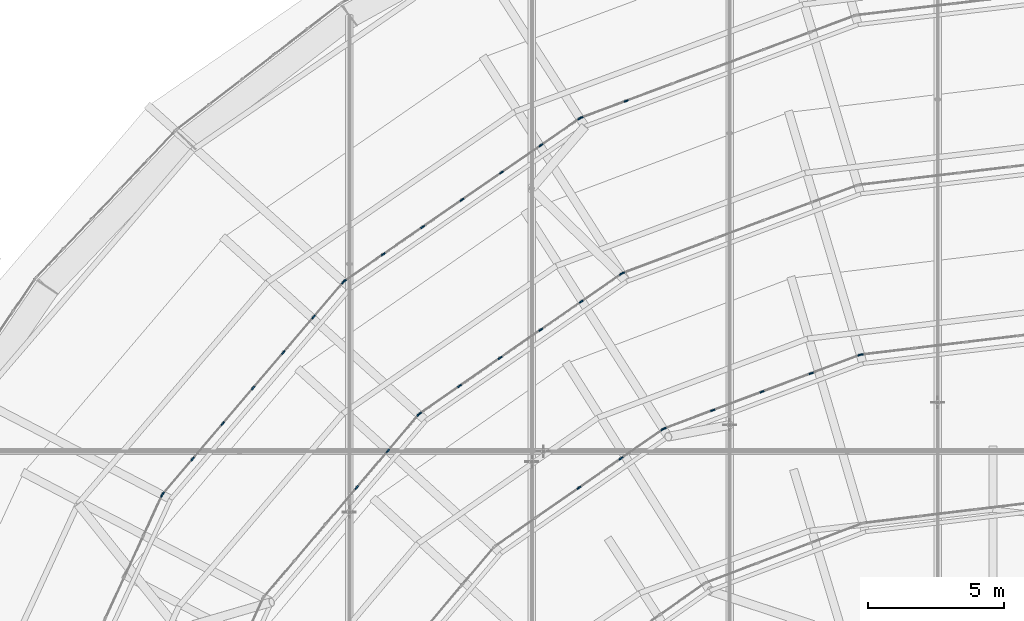
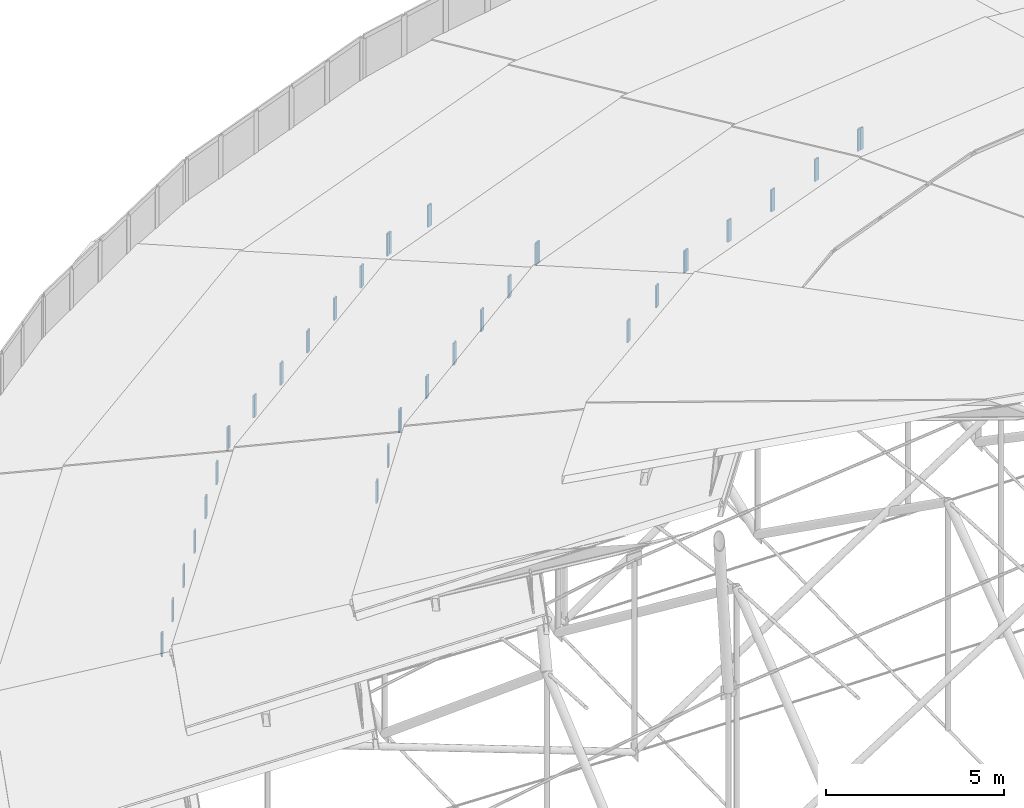
# One storey, part 136 of 173: 36 members, 10 elements without a shape of their own.
"""IFC4 building model written with IfcOpenShell, lengths in metres."""

from ifc_helpers import new_model, si_unit, direction, frame, origin, origin_2d, place, context, subcontext, project, spatial, rectangle, extrude, material, material_profile, profile_set, type_object, element, aggregate, save


model = new_model("IFC4")

# Units and contexts
model_context = context("Model", 3, precision=1e-05, world=origin(), true_north=direction((0.0, 1.0)))
body_context = subcontext(model_context, "Body", "Model", "MODEL_VIEW")
ifc_project = project(units=[si_unit("LENGTHUNIT", "METRE"), si_unit("AREAUNIT", "SQUARE_METRE"), si_unit("VOLUMEUNIT", "CUBIC_METRE"), si_unit("PLANEANGLEUNIT", "RADIAN"), si_unit("MASSUNIT", "GRAM", prefix="KILO")], contexts=[model_context])

# Site, building, storey
site_placement = place(None, origin())
site = spatial("IfcSite", under=ifc_project, at=site_placement, CompositionType="ELEMENT")
building_placement = place(site_placement, origin())
building = spatial("IfcBuilding", under=site, at=building_placement, Name="Glasvene Arena", CompositionType="ELEMENT")
storey_placement = place(building_placement, frame((0.0, 0.0, 28.800048828125)))
storey = spatial("IfcBuildingStorey", under=building, at=storey_placement, Name="RF", CompositionType="ELEMENT", Elevation=28.800048828125)

# Curtain wall, members
ifc_material_1 = material(Name="Low-emissivity laminated double glazing", Category="glass")
curtain_wall_type_1 = type_object("IfcCurtainWallType", Name="CW-PET1-1077x75", PredefinedType="USERDEFINED", material=ifc_material_1)
curtain_wall_1_placement = place(storey_placement, frame((81.16845703125, 109.415283203125, 0.0)))
curtain_wall_1 = element("IfcCurtainWall", 1, at=curtain_wall_1_placement, inside=storey, type_object=curtain_wall_type_1, Name="Petal ring 1-2 clerestory curtain wall 08", ObjectType="CURTAIN WALL", PredefinedType="USERDEFINED")
ifc_material_2 = material(Name="Anodised architectural aluminium", Category="aluminium")
ifc_material_profile = material_profile(ifc_material_2, rectangle(XDim=0.050048828125, YDim=0.159912109375, at=origin_2d()), Name="ALU MULLION 50x160")
ifc_profile_set = profile_set([ifc_material_profile], Name="Anodised architectural aluminium")
member_type = type_object("IfcMemberType", Name="CW-MUL-150", PredefinedType="MULLION", material=ifc_profile_set)
member_1_placement = place(storey_placement, frame((72.75732421875, 106.27685546875, 2.579833984375), z_axis=(0.0, 0.0, 1.0), x_axis=(0.349591006176, -0.936902411354, 0.0)))
member_1 = element("IfcMember", 2, at=member_1_placement, type_object=member_type, Name="CW-085 mullion 6", PredefinedType="MULLION", context=body_context, shape_type="SweptSolid", body=[
    extrude(rectangle(XDim=0.050048828125, YDim=0.159912109375, at=origin_2d()), origin(), (0.0, 0.0, 1.0), 0.75),
])
member_2_placement = place(storey_placement, frame((71.098388671875, 105.657958984375, 2.579833984375), z_axis=(0.0, 0.0, 1.0), x_axis=(0.349591006176, -0.936902411354, 0.0)))
member_2 = element("IfcMember", 3, at=member_2_placement, type_object=member_type, Name="CW-085 mullion 7", PredefinedType="MULLION", context=body_context, shape_type="SweptSolid", body=[
    extrude(rectangle(XDim=0.050048828125, YDim=0.159912109375, at=origin_2d()), origin(), (0.0, 0.0, 1.0), 0.75),
])
aggregate(curtain_wall_1, [member_1, member_2])

curtain_wall_type_2 = type_object("IfcCurtainWallType", Name="CW-PET1-1054x75", PredefinedType="USERDEFINED", material=ifc_material_1)
curtain_wall_2_placement = place(storey_placement, frame((71.074951171875, 105.649169921875, 0.0)))
curtain_wall_2 = element("IfcCurtainWall", 4, at=curtain_wall_2_placement, inside=storey, type_object=curtain_wall_type_2, Name="Petal ring 1-2 clerestory curtain wall 09", ObjectType="CURTAIN WALL", PredefinedType="USERDEFINED")
member_3_placement = place(storey_placement, frame((71.054443359375, 105.635009765625, 2.579833984375), z_axis=(0.0, 0.0, 1.0), x_axis=(0.568619089886, -0.822600954666, 0.0)))
member_3 = element("IfcMember", 5, at=member_3_placement, type_object=member_type, Name="CW-084 mullion 1", PredefinedType="MULLION", context=body_context, shape_type="SweptSolid", body=[
    extrude(rectangle(XDim=0.050048828125, YDim=0.159912109375, at=origin_2d()), origin(), (0.0, 0.0, 1.0), 0.75),
])
member_4_placement = place(storey_placement, frame((69.63037109375, 104.650634765625, 2.579833984375), z_axis=(0.0, 0.0, 1.0), x_axis=(0.568619089886, -0.822600954666, 0.0)))
member_4 = element("IfcMember", 6, at=member_4_placement, type_object=member_type, Name="CW-084 mullion 2", PredefinedType="MULLION", context=body_context, shape_type="SweptSolid", body=[
    extrude(rectangle(XDim=0.050048828125, YDim=0.159912109375, at=origin_2d()), origin(), (0.0, 0.0, 1.0), 0.75),
])
member_5_placement = place(storey_placement, frame((68.185791015625, 103.652099609375, 2.579833984375), z_axis=(0.0, 0.0, 1.0), x_axis=(0.568619089886, -0.822600954666, 0.0)))
member_5 = element("IfcMember", 7, at=member_5_placement, type_object=member_type, Name="CW-084 mullion 3", PredefinedType="MULLION", context=body_context, shape_type="SweptSolid", body=[
    extrude(rectangle(XDim=0.050048828125, YDim=0.159912109375, at=origin_2d()), origin(), (0.0, 0.0, 1.0), 0.75),
])
member_6_placement = place(storey_placement, frame((66.7412109375, 102.653564453125, 2.579833984375), z_axis=(0.0, 0.0, 1.0), x_axis=(0.568619089886, -0.822600954666, 0.0)))
member_6 = element("IfcMember", 8, at=member_6_placement, type_object=member_type, Name="CW-084 mullion 4", PredefinedType="MULLION", context=body_context, shape_type="SweptSolid", body=[
    extrude(rectangle(XDim=0.050048828125, YDim=0.159912109375, at=origin_2d()), origin(), (0.0, 0.0, 1.0), 0.75),
])
member_7_placement = place(storey_placement, frame((65.296630859375, 101.655029296875, 2.579833984375), z_axis=(0.0, 0.0, 1.0), x_axis=(0.568619089886, -0.822600954666, 0.0)))
member_7 = element("IfcMember", 9, at=member_7_placement, type_object=member_type, Name="CW-084 mullion 5", PredefinedType="MULLION", context=body_context, shape_type="SweptSolid", body=[
    extrude(rectangle(XDim=0.050048828125, YDim=0.159912109375, at=origin_2d()), origin(), (0.0, 0.0, 1.0), 0.75),
])
member_8_placement = place(storey_placement, frame((63.85205078125, 100.656494140625, 2.579833984375), z_axis=(0.0, 0.0, 1.0), x_axis=(0.568619089886, -0.822600954666, 0.0)))
member_8 = element("IfcMember", 10, at=member_8_placement, type_object=member_type, Name="CW-084 mullion 6", PredefinedType="MULLION", context=body_context, shape_type="SweptSolid", body=[
    extrude(rectangle(XDim=0.050048828125, YDim=0.159912109375, at=origin_2d()), origin(), (0.0, 0.0, 1.0), 0.75),
])
member_9_placement = place(storey_placement, frame((62.42822265625, 99.672119140625, 2.579833984375), z_axis=(0.0, 0.0, 1.0), x_axis=(0.568619089886, -0.822600954666, 0.0)))
member_9 = element("IfcMember", 11, at=member_9_placement, type_object=member_type, Name="CW-084 mullion 7", PredefinedType="MULLION", context=body_context, shape_type="SweptSolid", body=[
    extrude(rectangle(XDim=0.050048828125, YDim=0.159912109375, at=origin_2d()), origin(), (0.0, 0.0, 1.0), 0.75),
])
aggregate(curtain_wall_2, [member_3, member_4, member_5, member_6, member_7, member_8, member_9])

curtain_wall_type_3 = type_object("IfcCurtainWallType", Name="CW-PET1-1026x75", PredefinedType="USERDEFINED", material=ifc_material_1)
curtain_wall_3_placement = place(storey_placement, frame((62.40771484375, 99.657958984375, 0.0)))
curtain_wall_3 = element("IfcCurtainWall", 12, at=curtain_wall_3_placement, inside=storey, type_object=curtain_wall_type_3, Name="Petal ring 1-2 clerestory curtain wall 10", ObjectType="CURTAIN WALL", PredefinedType="USERDEFINED")
member_10_placement = place(storey_placement, frame((62.391357421875, 99.638916015625, 2.579833984375), z_axis=(0.0, 0.0, 1.0), x_axis=(0.761261234149, -0.648445320272, 0.0)))
member_10 = element("IfcMember", 13, at=member_10_placement, type_object=member_type, Name="CW-083 mullion 1", PredefinedType="MULLION", context=body_context, shape_type="SweptSolid", body=[
    extrude(rectangle(XDim=0.050048828125, YDim=0.159912109375, at=origin_2d()), origin(), (0.0, 0.0, 1.0), 0.75),
])
member_11_placement = place(storey_placement, frame((61.299072265625, 98.356689453125, 2.579833984375), z_axis=(0.0, 0.0, 1.0), x_axis=(0.761261234149, -0.648445320272, 0.0)))
member_11 = element("IfcMember", 14, at=member_11_placement, type_object=member_type, Name="CW-083 mullion 2", PredefinedType="MULLION", context=body_context, shape_type="SweptSolid", body=[
    extrude(rectangle(XDim=0.050048828125, YDim=0.159912109375, at=origin_2d()), origin(), (0.0, 0.0, 1.0), 0.75),
])
member_12_placement = place(storey_placement, frame((60.190673828125, 97.05517578125, 2.579833984375), z_axis=(0.0, 0.0, 1.0), x_axis=(0.761261234149, -0.648445320272, 0.0)))
member_12 = element("IfcMember", 15, at=member_12_placement, type_object=member_type, Name="CW-083 mullion 3", PredefinedType="MULLION", context=body_context, shape_type="SweptSolid", body=[
    extrude(rectangle(XDim=0.050048828125, YDim=0.159912109375, at=origin_2d()), origin(), (0.0, 0.0, 1.0), 0.75),
])
member_13_placement = place(storey_placement, frame((59.082275390625, 95.75390625, 2.579833984375), z_axis=(0.0, 0.0, 1.0), x_axis=(0.761261234149, -0.648445320272, 0.0)))
member_13 = element("IfcMember", 16, at=member_13_placement, type_object=member_type, Name="CW-083 mullion 4", PredefinedType="MULLION", context=body_context, shape_type="SweptSolid", body=[
    extrude(rectangle(XDim=0.050048828125, YDim=0.159912109375, at=origin_2d()), origin(), (0.0, 0.0, 1.0), 0.75),
])
member_14_placement = place(storey_placement, frame((57.9736328125, 94.45263671875, 2.579833984375), z_axis=(0.0, 0.0, 1.0), x_axis=(0.761261234149, -0.648445320272, 0.0)))
member_14 = element("IfcMember", 17, at=member_14_placement, type_object=member_type, Name="CW-083 mullion 5", PredefinedType="MULLION", context=body_context, shape_type="SweptSolid", body=[
    extrude(rectangle(XDim=0.050048828125, YDim=0.159912109375, at=origin_2d()), origin(), (0.0, 0.0, 1.0), 0.75),
])
member_15_placement = place(storey_placement, frame((56.865234375, 93.1513671875, 2.579833984375), z_axis=(0.0, 0.0, 1.0), x_axis=(0.761261234149, -0.648445320272, 0.0)))
member_15 = element("IfcMember", 18, at=member_15_placement, type_object=member_type, Name="CW-083 mullion 6", PredefinedType="MULLION", context=body_context, shape_type="SweptSolid", body=[
    extrude(rectangle(XDim=0.050048828125, YDim=0.159912109375, at=origin_2d()), origin(), (0.0, 0.0, 1.0), 0.75),
])
member_16_placement = place(storey_placement, frame((55.77294921875, 91.869140625, 2.579833984375), z_axis=(0.0, 0.0, 1.0), x_axis=(0.761261234149, -0.648445320272, 0.0)))
member_16 = element("IfcMember", 19, at=member_16_placement, type_object=member_type, Name="CW-083 mullion 7", PredefinedType="MULLION", context=body_context, shape_type="SweptSolid", body=[
    extrude(rectangle(XDim=0.050048828125, YDim=0.159912109375, at=origin_2d()), origin(), (0.0, 0.0, 1.0), 0.75),
])
aggregate(curtain_wall_3, [member_10, member_11, member_12, member_13, member_14, member_15, member_16])

# Curtain wall, member
curtain_wall_type_4 = type_object("IfcCurtainWallType", Name="CW-PET1-1001x75", PredefinedType="USERDEFINED", material=ifc_material_1)
curtain_wall_4_placement = place(storey_placement, frame((55.7568359375, 91.85009765625, 0.0)))
curtain_wall_4 = element("IfcCurtainWall", 20, at=curtain_wall_4_placement, inside=storey, type_object=curtain_wall_type_4, Name="Petal ring 1-2 clerestory curtain wall 11", ObjectType="CURTAIN WALL", PredefinedType="USERDEFINED")
member_17_placement = place(storey_placement, frame((55.746337890625, 91.827392578125, 2.579833984375), z_axis=(0.0, 0.0, 1.0), x_axis=(0.908556831634, -0.41776127596, 0.0)))
member_17 = element("IfcMember", 21, at=member_17_placement, type_object=member_type, Name="CW-082 mullion 1", PredefinedType="MULLION", context=body_context, shape_type="SweptSolid", body=[
    extrude(rectangle(XDim=0.050048828125, YDim=0.159912109375, at=origin_2d()), origin(), (0.0, 0.0, 1.0), 0.75),
])
aggregate(curtain_wall_4, [member_17])

curtain_wall_type_5 = type_object("IfcCurtainWallType", Name="CW-PET2-925x75", PredefinedType="USERDEFINED", material=ifc_material_1)
curtain_wall_5_placement = place(storey_placement, frame((81.25830078125, 103.1943359375, 0.0)))
curtain_wall_5 = element("IfcCurtainWall", 22, at=curtain_wall_5_placement, inside=storey, type_object=curtain_wall_type_5, Name="Petal ring 2-3 clerestory curtain wall 08", ObjectType="CURTAIN WALL", PredefinedType="USERDEFINED")
member_18_placement = place(storey_placement, frame((72.623291015625, 99.961181640625, 5.179931640625), z_axis=(0.0, 0.0, 1.0), x_axis=(0.350639776971, -0.936510409342, 0.0)))
member_18 = element("IfcMember", 23, at=member_18_placement, type_object=member_type, Name="CW-091 mullion 6", PredefinedType="MULLION", context=body_context, shape_type="SweptSolid", body=[
    extrude(rectangle(XDim=0.050048828125, YDim=0.159912109375, at=origin_2d()), origin(), (0.0, 0.0, 1.0), 0.75),
])
aggregate(curtain_wall_5, [member_18])

# Curtain wall, members
curtain_wall_type_6 = type_object("IfcCurtainWallType", Name="CW-PET2-905x75", PredefinedType="USERDEFINED", material=ifc_material_1)
curtain_wall_6_placement = place(storey_placement, frame((72.60009765625, 99.952392578125, 0.0)))
curtain_wall_6 = element("IfcCurtainWall", 24, at=curtain_wall_6_placement, inside=storey, type_object=curtain_wall_type_6, Name="Petal ring 2-3 clerestory curtain wall 09", ObjectType="CURTAIN WALL", PredefinedType="USERDEFINED")
member_19_placement = place(storey_placement, frame((72.579345703125, 99.938232421875, 5.179931640625), z_axis=(0.0, 0.0, 1.0), x_axis=(0.569921225109, -0.821699335018, 0.0)))
member_19 = element("IfcMember", 25, at=member_19_placement, type_object=member_type, Name="CW-090 mullion 1", PredefinedType="MULLION", context=body_context, shape_type="SweptSolid", body=[
    extrude(rectangle(XDim=0.050048828125, YDim=0.159912109375, at=origin_2d()), origin(), (0.0, 0.0, 1.0), 0.75),
])
member_20_placement = place(storey_placement, frame((71.113037109375, 98.921142578125, 5.179931640625), z_axis=(0.0, 0.0, 1.0), x_axis=(0.569921225109, -0.821699335018, 0.0)))
member_20 = element("IfcMember", 26, at=member_20_placement, type_object=member_type, Name="CW-090 mullion 2", PredefinedType="MULLION", context=body_context, shape_type="SweptSolid", body=[
    extrude(rectangle(XDim=0.050048828125, YDim=0.159912109375, at=origin_2d()), origin(), (0.0, 0.0, 1.0), 0.75),
])
member_21_placement = place(storey_placement, frame((69.6259765625, 97.8896484375, 5.179931640625), z_axis=(0.0, 0.0, 1.0), x_axis=(0.569921225109, -0.821699335018, 0.0)))
member_21 = element("IfcMember", 27, at=member_21_placement, type_object=member_type, Name="CW-090 mullion 3", PredefinedType="MULLION", context=body_context, shape_type="SweptSolid", body=[
    extrude(rectangle(XDim=0.050048828125, YDim=0.159912109375, at=origin_2d()), origin(), (0.0, 0.0, 1.0), 0.75),
])
member_22_placement = place(storey_placement, frame((68.138916015625, 96.8583984375, 5.179931640625), z_axis=(0.0, 0.0, 1.0), x_axis=(0.569921225109, -0.821699335018, 0.0)))
member_22 = element("IfcMember", 28, at=member_22_placement, type_object=member_type, Name="CW-090 mullion 4", PredefinedType="MULLION", context=body_context, shape_type="SweptSolid", body=[
    extrude(rectangle(XDim=0.050048828125, YDim=0.159912109375, at=origin_2d()), origin(), (0.0, 0.0, 1.0), 0.75),
])
member_23_placement = place(storey_placement, frame((66.65185546875, 95.826904296875, 5.179931640625), z_axis=(0.0, 0.0, 1.0), x_axis=(0.569921225109, -0.821699335018, 0.0)))
member_23 = element("IfcMember", 29, at=member_23_placement, type_object=member_type, Name="CW-090 mullion 5", PredefinedType="MULLION", context=body_context, shape_type="SweptSolid", body=[
    extrude(rectangle(XDim=0.050048828125, YDim=0.159912109375, at=origin_2d()), origin(), (0.0, 0.0, 1.0), 0.75),
])
member_24_placement = place(storey_placement, frame((65.185546875, 94.809814453125, 5.179931640625), z_axis=(0.0, 0.0, 1.0), x_axis=(0.569921225109, -0.821699335018, 0.0)))
member_24 = element("IfcMember", 30, at=member_24_placement, type_object=member_type, Name="CW-090 mullion 6", PredefinedType="MULLION", context=body_context, shape_type="SweptSolid", body=[
    extrude(rectangle(XDim=0.050048828125, YDim=0.159912109375, at=origin_2d()), origin(), (0.0, 0.0, 1.0), 0.75),
])
aggregate(curtain_wall_6, [member_19, member_20, member_21, member_22, member_23, member_24])

curtain_wall_type_7 = type_object("IfcCurtainWallType", Name="CW-PET2-882x75", PredefinedType="USERDEFINED", material=ifc_material_1)
curtain_wall_7_placement = place(storey_placement, frame((65.164794921875, 94.795654296875, 0.0)))
curtain_wall_7 = element("IfcCurtainWall", 31, at=curtain_wall_7_placement, inside=storey, type_object=curtain_wall_type_7, Name="Petal ring 2-3 clerestory curtain wall 10", ObjectType="CURTAIN WALL", PredefinedType="USERDEFINED")
member_25_placement = place(storey_placement, frame((65.148681640625, 94.776611328125, 5.179931640625), z_axis=(0.0, 0.0, 1.0), x_axis=(0.762348353305, -0.647166893632, 0.0)))
member_25 = element("IfcMember", 32, at=member_25_placement, type_object=member_type, Name="CW-089 mullion 1", PredefinedType="MULLION", context=body_context, shape_type="SweptSolid", body=[
    extrude(rectangle(XDim=0.050048828125, YDim=0.159912109375, at=origin_2d()), origin(), (0.0, 0.0, 1.0), 0.75),
])
member_26_placement = place(storey_placement, frame((64.02392578125, 93.451416015625, 5.179931640625), z_axis=(0.0, 0.0, 1.0), x_axis=(0.762348353305, -0.647166893632, 0.0)))
member_26 = element("IfcMember", 33, at=member_26_placement, type_object=member_type, Name="CW-089 mullion 2", PredefinedType="MULLION", context=body_context, shape_type="SweptSolid", body=[
    extrude(rectangle(XDim=0.050048828125, YDim=0.159912109375, at=origin_2d()), origin(), (0.0, 0.0, 1.0), 0.75),
])
member_27_placement = place(storey_placement, frame((62.8828125, 92.107421875, 5.179931640625), z_axis=(0.0, 0.0, 1.0), x_axis=(0.762348353305, -0.647166893632, 0.0)))
member_27 = element("IfcMember", 34, at=member_27_placement, type_object=member_type, Name="CW-089 mullion 3", PredefinedType="MULLION", context=body_context, shape_type="SweptSolid", body=[
    extrude(rectangle(XDim=0.050048828125, YDim=0.159912109375, at=origin_2d()), origin(), (0.0, 0.0, 1.0), 0.75),
])
aggregate(curtain_wall_7, [member_25, member_26, member_27])

# Curtain wall, member
curtain_wall_type_8 = type_object("IfcCurtainWallType", Name="CW-PET3-781x75", PredefinedType="USERDEFINED", material=ifc_material_1)
curtain_wall_8_placement = place(storey_placement, frame((89.10009765625, 97.89990234375, 0.0)))
curtain_wall_8 = element("IfcCurtainWall", 35, at=curtain_wall_8_placement, inside=storey, type_object=curtain_wall_type_8, Name="Petal ring 3-4 clerestory curtain wall 07", ObjectType="CURTAIN WALL", PredefinedType="USERDEFINED")
member_28_placement = place(storey_placement, frame((81.373291015625, 96.97607421875, 7.829833984375), z_axis=(0.0, 0.0, 1.0), x_axis=(0.11871688488, -0.992928145056, 0.0)))
member_28 = element("IfcMember", 36, at=member_28_placement, type_object=member_type, Name="CW-098 mullion 5", PredefinedType="MULLION", context=body_context, shape_type="SweptSolid", body=[
    extrude(rectangle(XDim=0.050048828125, YDim=0.159912109375, at=origin_2d()), origin(), (0.0, 0.0, 1.0), 0.75),
])
aggregate(curtain_wall_8, [member_28])

# Curtain wall, members
curtain_wall_type_9 = type_object("IfcCurtainWallType", Name="CW-PET3-772x75", PredefinedType="USERDEFINED", material=ifc_material_1)
curtain_wall_9_placement = place(storey_placement, frame((81.348388671875, 96.97314453125, 0.0)))
curtain_wall_9 = element("IfcCurtainWall", 37, at=curtain_wall_9_placement, inside=storey, type_object=curtain_wall_type_9, Name="Petal ring 3-4 clerestory curtain wall 08", ObjectType="CURTAIN WALL", PredefinedType="USERDEFINED")
member_29_placement = place(storey_placement, frame((81.324951171875, 96.96435546875, 7.829833984375), z_axis=(0.0, 0.0, 1.0), x_axis=(0.352091687007, -0.93596551429, 0.0)))
member_29 = element("IfcMember", 38, at=member_29_placement, type_object=member_type, Name="CW-097 mullion 1", PredefinedType="MULLION", context=body_context, shape_type="SweptSolid", body=[
    extrude(rectangle(XDim=0.050048828125, YDim=0.159912109375, at=origin_2d()), origin(), (0.0, 0.0, 1.0), 0.75),
])
member_30_placement = place(storey_placement, frame((79.54248046875, 96.2939453125, 7.829833984375), z_axis=(0.0, 0.0, 1.0), x_axis=(0.352091687007, -0.93596551429, 0.0)))
member_30 = element("IfcMember", 39, at=member_30_placement, type_object=member_type, Name="CW-097 mullion 2", PredefinedType="MULLION", context=body_context, shape_type="SweptSolid", body=[
    extrude(rectangle(XDim=0.050048828125, YDim=0.159912109375, at=origin_2d()), origin(), (0.0, 0.0, 1.0), 0.75),
])
member_31_placement = place(storey_placement, frame((77.73681640625, 95.614501953125, 7.829833984375), z_axis=(0.0, 0.0, 1.0), x_axis=(0.352091687007, -0.93596551429, 0.0)))
member_31 = element("IfcMember", 40, at=member_31_placement, type_object=member_type, Name="CW-097 mullion 3", PredefinedType="MULLION", context=body_context, shape_type="SweptSolid", body=[
    extrude(rectangle(XDim=0.050048828125, YDim=0.159912109375, at=origin_2d()), origin(), (0.0, 0.0, 1.0), 0.75),
])
member_32_placement = place(storey_placement, frame((75.930908203125, 94.935302734375, 7.829833984375), z_axis=(0.0, 0.0, 1.0), x_axis=(0.352091687007, -0.93596551429, 0.0)))
member_32 = element("IfcMember", 41, at=member_32_placement, type_object=member_type, Name="CW-097 mullion 4", PredefinedType="MULLION", context=body_context, shape_type="SweptSolid", body=[
    extrude(rectangle(XDim=0.050048828125, YDim=0.159912109375, at=origin_2d()), origin(), (0.0, 0.0, 1.0), 0.75),
])
member_33_placement = place(storey_placement, frame((74.1484375, 94.2646484375, 7.829833984375), z_axis=(0.0, 0.0, 1.0), x_axis=(0.352091687007, -0.93596551429, 0.0)))
member_33 = element("IfcMember", 42, at=member_33_placement, type_object=member_type, Name="CW-097 mullion 5", PredefinedType="MULLION", context=body_context, shape_type="SweptSolid", body=[
    extrude(rectangle(XDim=0.050048828125, YDim=0.159912109375, at=origin_2d()), origin(), (0.0, 0.0, 1.0), 0.75),
])
aggregate(curtain_wall_9, [member_29, member_30, member_31, member_32, member_33])

curtain_wall_type_10 = type_object("IfcCurtainWallType", Name="CW-PET3-756x75", PredefinedType="USERDEFINED", material=ifc_material_1)
curtain_wall_10_placement = place(storey_placement, frame((74.125, 94.255859375, 0.0)))
curtain_wall_10 = element("IfcCurtainWall", 43, at=curtain_wall_10_placement, inside=storey, type_object=curtain_wall_type_10, Name="Petal ring 3-4 clerestory curtain wall 09", ObjectType="CURTAIN WALL", PredefinedType="USERDEFINED")
member_34_placement = place(storey_placement, frame((74.1044921875, 94.24169921875, 7.829833984375), z_axis=(0.0, 0.0, 1.0), x_axis=(0.571742483725, -0.82043313701, 0.0)))
member_34 = element("IfcMember", 44, at=member_34_placement, type_object=member_type, Name="CW-096 mullion 1", PredefinedType="MULLION", context=body_context, shape_type="SweptSolid", body=[
    extrude(rectangle(XDim=0.050048828125, YDim=0.159912109375, at=origin_2d()), origin(), (0.0, 0.0, 1.0), 0.75),
])
member_35_placement = place(storey_placement, frame((72.57421875, 93.17529296875, 7.829833984375), z_axis=(0.0, 0.0, 1.0), x_axis=(0.571742483725, -0.82043313701, 0.0)))
member_35 = element("IfcMember", 45, at=member_35_placement, type_object=member_type, Name="CW-096 mullion 2", PredefinedType="MULLION", context=body_context, shape_type="SweptSolid", body=[
    extrude(rectangle(XDim=0.050048828125, YDim=0.159912109375, at=origin_2d()), origin(), (0.0, 0.0, 1.0), 0.75),
])
member_36_placement = place(storey_placement, frame((71.023681640625, 92.094482421875, 7.829833984375), z_axis=(0.0, 0.0, 1.0), x_axis=(0.571742483725, -0.82043313701, 0.0)))
member_36 = element("IfcMember", 46, at=member_36_placement, type_object=member_type, Name="CW-096 mullion 3", PredefinedType="MULLION", context=body_context, shape_type="SweptSolid", body=[
    extrude(rectangle(XDim=0.050048828125, YDim=0.159912109375, at=origin_2d()), origin(), (0.0, 0.0, 1.0), 0.75),
])
aggregate(curtain_wall_10, [member_34, member_35, member_36])

save(model, "model.ifc")
